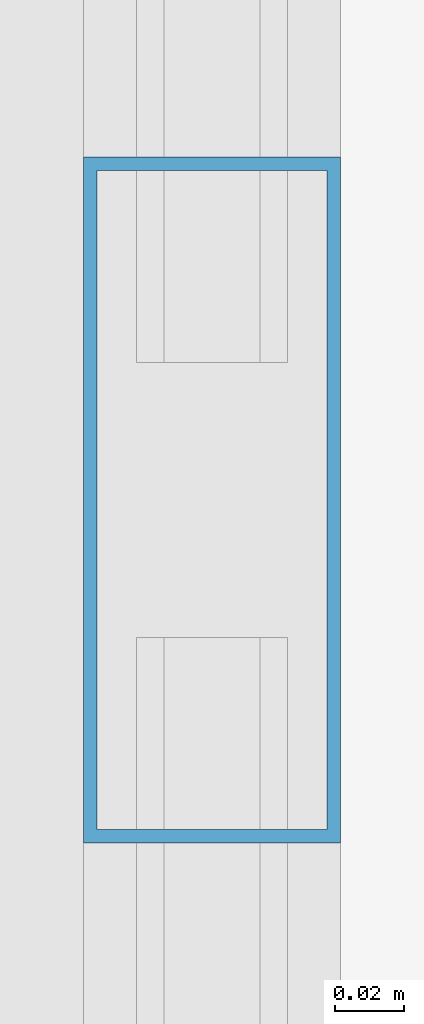
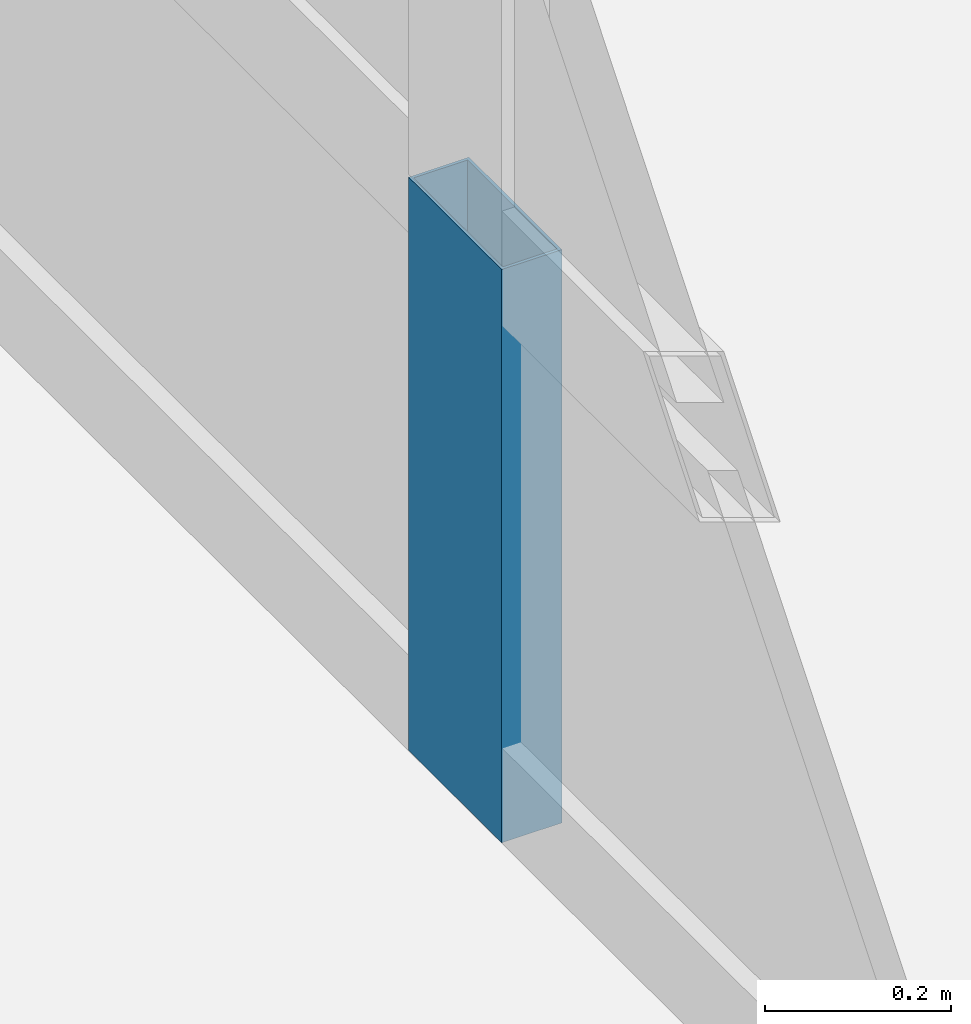
# One storey, part 21 of 35: 1 member, 1 element without a shape of its own.
"""IFC4 building model written with IfcOpenShell, lengths in metres."""

from ifc_helpers import new_model, si_unit, direction, frame, origin, origin_2d, place, context, subcontext, project, spatial, hollow_rectangle, extrude, source, transform, mapped, material, layer, layer_set, material_profile, profile_set, type_object, element, aggregate, save


model = new_model("IFC4")

# Units and contexts
model_context = context("Model", 3, precision=1e-05, world=origin(), true_north=direction((0.0, 1.0)))
body_context = subcontext(model_context, "Body", "Model", "MODEL_VIEW")
ifc_project = project(units=[si_unit("LENGTHUNIT", "METRE"), si_unit("AREAUNIT", "SQUARE_METRE"), si_unit("VOLUMEUNIT", "CUBIC_METRE"), si_unit("PLANEANGLEUNIT", "RADIAN"), si_unit("MASSUNIT", "GRAM", prefix="KILO"), si_unit("THERMODYNAMICTEMPERATUREUNIT", "KELVIN"), si_unit("POWERUNIT", "WATT")], contexts=[model_context])

# Site, building, storey
site_placement = place(None, origin())
site = spatial("IfcSite", under=ifc_project, at=site_placement, CompositionType="ELEMENT")
building_placement = place(site_placement, origin())
building = spatial("IfcBuilding", under=site, at=building_placement, Name="Yuzanri Waterfront Tower", CompositionType="ELEMENT")
storey_placement = place(building_placement, frame((0.0, 0.0, 299.60009765625)))
storey = spatial("IfcBuildingStorey", under=building, at=storey_placement, Name="L80", CompositionType="ELEMENT", Elevation=299.60009765625)

# Curtain wall, member
ifc_material_1 = material(Name="Anodized Architectural Bronze", Category="metal")
ifc_layer = layer(ifc_material_1, 0.159912109375)
ifc_layer_set = layer_set([ifc_layer], Name="Anodized Architectural Bronze")
curtain_wall_type = type_object("IfcCurtainWallType", Name="Anodized Bronze High-Rise Penthouse High-Wind Unitized Curtain Wall 6900", PredefinedType="NOTDEFINED", material=ifc_layer_set)
curtain_wall_placement = place(storey_placement, origin())
curtain_wall = element("IfcCurtainWall", 1, at=curtain_wall_placement, inside=storey, type_object=curtain_wall_type, Name="L80 Curtain Wall CW-L80-WL", PredefinedType="NOTDEFINED")
ifc_material_2 = material(Name="Anodized Architectural Bronze", Category="metal")
ifc_material_profile = material_profile(ifc_material_2, hollow_rectangle(XDim=0.074951171875, YDim=0.199951171875, WallThickness=0.00390625, at=origin_2d()), Name="CWM 75x200")
ifc_profile_set = profile_set([ifc_material_profile], Name="Anodized Architectural Bronze")
member_type = type_object("IfcMemberType", Name="Anodized Bronze Primary Curtain-Wall Mullion 75x200", PredefinedType="MULLION", material=ifc_profile_set)
shared_shape = source(origin(), body_context, "Body", "SweptSolid", [
    extrude(hollow_rectangle(XDim=0.074951171875, YDim=0.199951171875, WallThickness=0.00390625, at=origin_2d()), origin(), (0.0, 0.0, 1.0), 0.751953125),
])
member_placement = place(storey_placement, frame((18.050048828125, 19.75, 0.0), z_axis=(0.0, 0.0, 1.0), x_axis=(1.0, 0.0, 0.0)))
member = element("IfcMember", 2, at=member_placement, type_object=member_type, Name="CW-L80-WL Lower Mullion 01", PredefinedType="MULLION", context=body_context, shape_type="MappedRepresentation", body=[
    mapped(shared_shape, transform((0.0, 0.0, 0.0), scale=1.0)),
])
aggregate(curtain_wall, [member])

save(model, "model.ifc")
